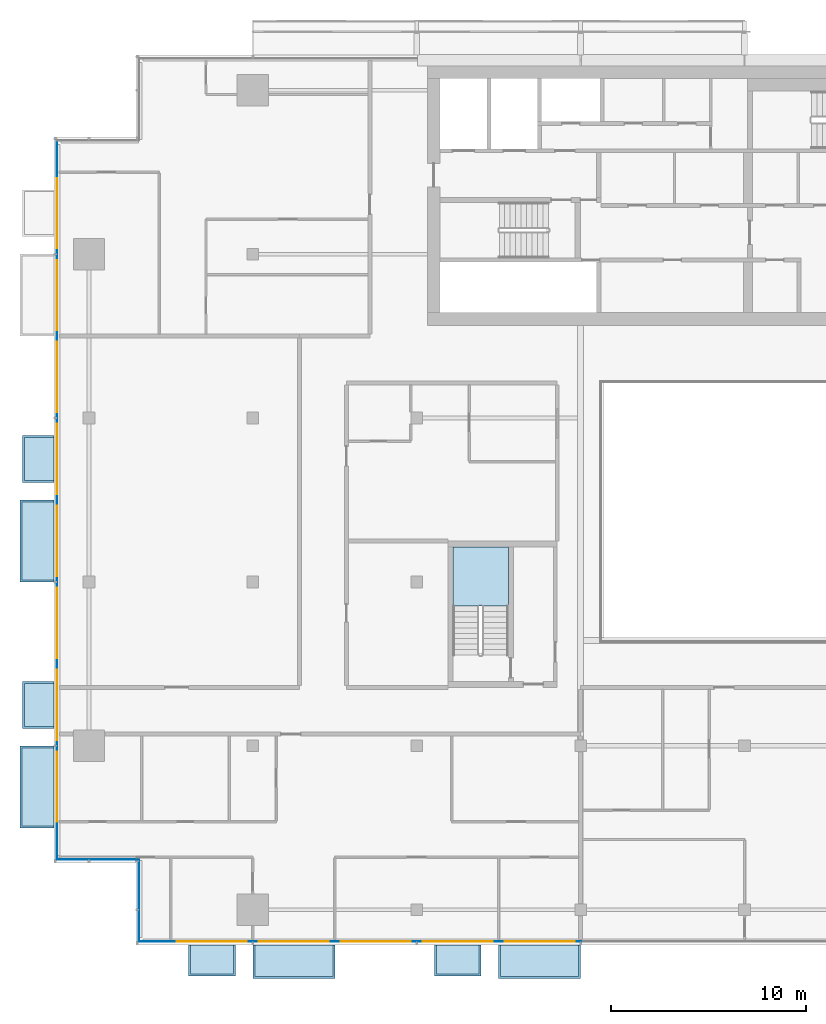
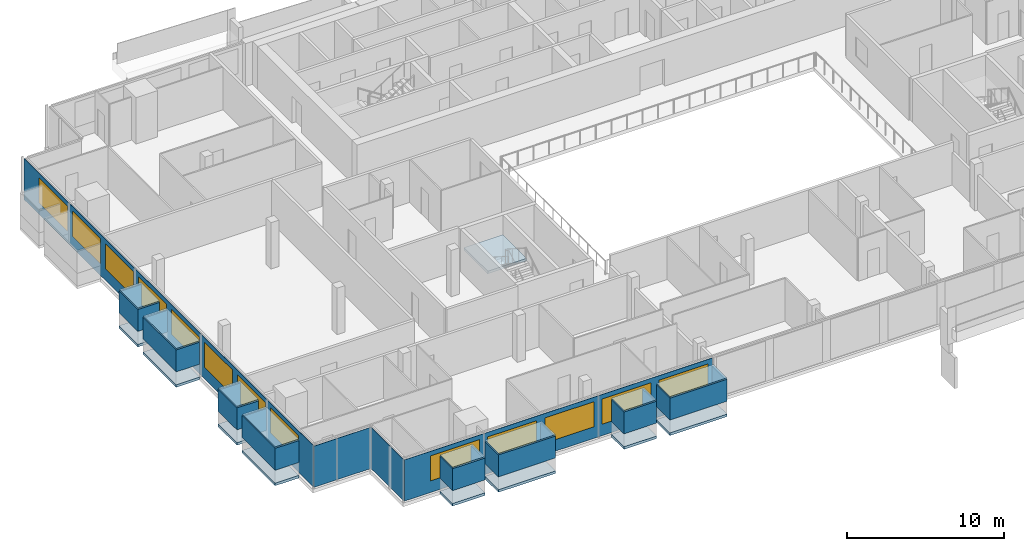
# One storey, part 14 of 27: 20 plates, 13 windows, 9 slabs, 13 openings, 5 elements without a shape of their own.
"""IFC4 building model written with IfcOpenShell, lengths in metres."""

from ifc_helpers import new_model, si_unit, direction, frame, frame_2d, origin, place, context, subcontext, project, spatial, polyline, rectangle, outline, extrude, material, layer, layer_set, type_object, element, fill, aggregate, save


model = new_model("IFC4")

# Units and contexts
model_context = context("Model", 3, precision=1e-05, world=origin(), true_north=direction((0.0, 1.0)))
body_context = subcontext(model_context, "Body", "Model", "MODEL_VIEW")
ifc_project = project(units=[si_unit("LENGTHUNIT", "METRE"), si_unit("AREAUNIT", "SQUARE_METRE"), si_unit("VOLUMEUNIT", "CUBIC_METRE"), si_unit("PLANEANGLEUNIT", "RADIAN"), si_unit("MASSUNIT", "GRAM", prefix="KILO")], contexts=[model_context])

# Site, building, storey
site_placement = place(None, origin())
site = spatial("IfcSite", under=ifc_project, at=site_placement, CompositionType="ELEMENT")
building_placement = place(site_placement, origin())
building = spatial("IfcBuilding", under=site, at=building_placement, Name="Saffron Gate Tower", CompositionType="ELEMENT")
storey_placement = place(building_placement, frame((0.0, 0.0, 212.699951171875)))
storey = spatial("IfcBuildingStorey", under=building, at=storey_placement, Name="L51", CompositionType="ELEMENT", Elevation=212.699951171875)

# Curtain wall, plate, openings, windows
ifc_material_1 = material(Name="Aluminium, bronze anodised", Category="aluminium")
curtain_wall_type_1 = type_object("IfcCurtainWallType", Name="CWS1 curtain wall front facade", PredefinedType="NOTDEFINED", material=ifc_material_1)
curtain_wall_1_placement = place(storey_placement, origin())
curtain_wall_1 = element("IfcCurtainWall", 1, at=curtain_wall_1_placement, inside=storey, type_object=curtain_wall_type_1, Name="CWS1 run 1", PredefinedType="NOTDEFINED")
ifc_material_2 = material(Name="Fritted bronze-tinted laminated glass", Category="glass")
ifc_layer_1 = layer(ifc_material_2, 0.028076171875)
ifc_layer_set_1 = layer_set([ifc_layer_1], Name="CWS1 fixed glass")
plate_type_1 = type_object("IfcPlateType", Name="CWS1 fixed glass", PredefinedType="CURTAIN_PANEL", material=ifc_layer_set_1)
plate_1_placement = place(storey_placement, frame((52.387939453125, 30.174072265625, 0.0), z_axis=(0.0, 0.0, 1.0), x_axis=(1.0, 0.0, 0.0)))
plate_1 = element("IfcPlate", 2, at=plate_1_placement, type_object=plate_type_1, Name="CWS1 glass panel", PredefinedType="CURTAIN_PANEL", context=body_context, shape_type="SweptSolid", body=[
    extrude(rectangle(XDim=22.64208984375, YDim=0.028076171875, at=frame_2d((11.321044921875, 0.0))), origin(), (0.0, 0.0, 1.0), 3.199951171875),
])
opening_1_placement = place(plate_1_placement, frame((1.912109375, 0.0, 0.89990234375)))
opening_1 = element("IfcOpeningElement", 3, at=opening_1_placement, cuts=plate_1, Name="Opening W1", PredefinedType="OPENING", context=body_context, shape_type="SweptSolid", body=[
    extrude(rectangle(XDim=3.60009765625, YDim=1.949951171875, at=frame_2d((1.800048828125, 0.97509765625))), frame((0.0, 0.02392578125, 0.0), z_axis=(0.0, -1.0, 0.0), x_axis=(1.0, 0.0, 0.0)), (0.0, 0.0, 1.0), 0.048095703125),
])
opening_2_placement = place(plate_1_placement, frame((6.112060546875, 0.0, 0.89990234375)))
opening_2 = element("IfcOpeningElement", 4, at=opening_2_placement, cuts=plate_1, Name="Opening W1", PredefinedType="OPENING", context=body_context, shape_type="SweptSolid", body=[
    extrude(rectangle(XDim=3.60009765625, YDim=1.949951171875, at=frame_2d((1.800048828125, 0.97509765625))), frame((0.0, 0.02392578125, 0.0), z_axis=(0.0, -1.0, 0.0), x_axis=(1.0, 0.0, 0.0)), (0.0, 0.0, 1.0), 0.048095703125),
])
opening_3_placement = place(plate_1_placement, frame((10.31201171875, 0.0, 0.89990234375)))
opening_3 = element("IfcOpeningElement", 5, at=opening_3_placement, cuts=plate_1, Name="Opening W1", PredefinedType="OPENING", context=body_context, shape_type="SweptSolid", body=[
    extrude(rectangle(XDim=3.60009765625, YDim=1.949951171875, at=frame_2d((1.800048828125, 0.97509765625))), frame((0.0, 0.02392578125, 0.0), z_axis=(0.0, -1.0, 0.0), x_axis=(1.0, 0.0, 0.0)), (0.0, 0.0, 1.0), 0.048095703125),
])
opening_4_placement = place(plate_1_placement, frame((14.511962890625, 0.0, 0.89990234375)))
opening_4 = element("IfcOpeningElement", 6, at=opening_4_placement, cuts=plate_1, Name="Opening W1", PredefinedType="OPENING", context=body_context, shape_type="SweptSolid", body=[
    extrude(rectangle(XDim=3.60009765625, YDim=1.949951171875, at=frame_2d((1.800048828125, 0.97509765625))), frame((0.0, 0.02392578125, 0.0), z_axis=(0.0, -1.0, 0.0), x_axis=(1.0, 0.0, 0.0)), (0.0, 0.0, 1.0), 0.048095703125),
])
opening_5_placement = place(plate_1_placement, frame((18.7119140625, 0.0, 0.89990234375)))
opening_5 = element("IfcOpeningElement", 7, at=opening_5_placement, cuts=plate_1, Name="Opening W1", PredefinedType="OPENING", context=body_context, shape_type="SweptSolid", body=[
    extrude(rectangle(XDim=3.60009765625, YDim=1.949951171875, at=frame_2d((1.800048828125, 0.97509765625))), frame((0.0, 0.02392578125, 0.0), z_axis=(0.0, -1.0, 0.0), x_axis=(1.0, 0.0, 0.0)), (0.0, 0.0, 1.0), 0.048095703125),
])
ifc_material_3 = material(Name="Fritted bronze-tinted laminated glass in bronze frame", Category="glass")
ifc_layer_2 = layer(ifc_material_3, 0.06005859375)
ifc_layer_set_2 = layer_set([ifc_layer_2], Name="W1 operable panel 3600x1950")
window_type = type_object("IfcWindowType", Name="W1 operable panel 3600x1950", PartitioningType="DOUBLE_PANEL_HORIZONTAL", PredefinedType="WINDOW", material=ifc_layer_set_2)
window_1_placement = place(opening_1_placement, origin())
window_1 = element("IfcWindow", 8, at=window_1_placement, type_object=window_type, Name="W1 operable panel", OverallHeight=1.949951171875, OverallWidth=3.60009765625, PartitioningType="SINGLE_PANEL", PredefinedType="WINDOW", context=body_context, shape_type="SweptSolid", body=[
    extrude(rectangle(XDim=3.60009765625, YDim=1.949951171875, at=frame_2d((1.800048828125, 0.97509765625))), frame((0.0, 0.013671875, 0.0), z_axis=(0.0, -1.0, 0.0), x_axis=(1.0, 0.0, 0.0)), (0.0, 0.0, 1.0), 0.027587890625),
])
fill(opening_1, window_1)
window_2_placement = place(opening_2_placement, origin())
window_2 = element("IfcWindow", 9, at=window_2_placement, type_object=window_type, Name="W1 operable panel", OverallHeight=1.949951171875, OverallWidth=3.60009765625, PartitioningType="SINGLE_PANEL", PredefinedType="WINDOW", context=body_context, shape_type="SweptSolid", body=[
    extrude(rectangle(XDim=3.60009765625, YDim=1.949951171875, at=frame_2d((1.800048828125, 0.97509765625))), frame((0.0, 0.013671875, 0.0), z_axis=(0.0, -1.0, 0.0), x_axis=(1.0, 0.0, 0.0)), (0.0, 0.0, 1.0), 0.027587890625),
])
fill(opening_2, window_2)
window_3_placement = place(opening_3_placement, origin())
window_3 = element("IfcWindow", 10, at=window_3_placement, type_object=window_type, Name="W1 operable panel", OverallHeight=1.949951171875, OverallWidth=3.60009765625, PartitioningType="SINGLE_PANEL", PredefinedType="WINDOW", context=body_context, shape_type="SweptSolid", body=[
    extrude(rectangle(XDim=3.60009765625, YDim=1.949951171875, at=frame_2d((1.800048828125, 0.97509765625))), frame((0.0, 0.013671875, 0.0), z_axis=(0.0, -1.0, 0.0), x_axis=(1.0, 0.0, 0.0)), (0.0, 0.0, 1.0), 0.027587890625),
])
fill(opening_3, window_3)
window_4_placement = place(opening_4_placement, origin())
window_4 = element("IfcWindow", 11, at=window_4_placement, type_object=window_type, Name="W1 operable panel", OverallHeight=1.949951171875, OverallWidth=3.60009765625, PartitioningType="SINGLE_PANEL", PredefinedType="WINDOW", context=body_context, shape_type="SweptSolid", body=[
    extrude(rectangle(XDim=3.60009765625, YDim=1.949951171875, at=frame_2d((1.800048828125, 0.97509765625))), frame((0.0, 0.013671875, 0.0), z_axis=(0.0, -1.0, 0.0), x_axis=(1.0, 0.0, 0.0)), (0.0, 0.0, 1.0), 0.027587890625),
])
fill(opening_4, window_4)
window_5_placement = place(opening_5_placement, origin())
window_5 = element("IfcWindow", 12, at=window_5_placement, type_object=window_type, Name="W1 operable panel", OverallHeight=1.949951171875, OverallWidth=3.60009765625, PartitioningType="SINGLE_PANEL", PredefinedType="WINDOW", context=body_context, shape_type="SweptSolid", body=[
    extrude(rectangle(XDim=3.60009765625, YDim=1.949951171875, at=frame_2d((1.800048828125, 0.97509765625))), frame((0.0, 0.013671875, 0.0), z_axis=(0.0, -1.0, 0.0), x_axis=(1.0, 0.0, 0.0)), (0.0, 0.0, 1.0), 0.027587890625),
])
fill(opening_5, window_5)
aggregate(curtain_wall_1, [plate_1, window_1, window_2, window_3, window_4, window_5])

curtain_wall_type_2 = type_object("IfcCurtainWallType", Name="CWS2 curtain wall side facades", PredefinedType="NOTDEFINED", material=ifc_material_1)
curtain_wall_2_placement = place(storey_placement, origin())
curtain_wall_2 = element("IfcCurtainWall", 13, at=curtain_wall_2_placement, inside=storey, type_object=curtain_wall_type_2, Name="CWS2 run 10", PredefinedType="NOTDEFINED")
ifc_layer_3 = layer(ifc_material_2, 0.028076171875)
ifc_layer_set_3 = layer_set([ifc_layer_3], Name="CWS2 fixed glass")
plate_type_2 = type_object("IfcPlateType", Name="CWS2 fixed glass", PredefinedType="CURTAIN_PANEL", material=ifc_layer_set_3)
plate_2_placement = place(storey_placement, frame((48.174072265625, 71.2119140625, 0.0), z_axis=(0.0, 0.0, 1.0), x_axis=(0.0, -1.0, 0.0)))
plate_2 = element("IfcPlate", 14, at=plate_2_placement, type_object=plate_type_2, Name="CWS2 glass panel", PredefinedType="CURTAIN_PANEL", context=body_context, shape_type="SweptSolid", body=[
    extrude(rectangle(XDim=36.823974609375, YDim=0.028076171875, at=frame_2d((18.412109375, 0.0))), origin(), (0.0, 0.0, 1.0), 3.199951171875),
])
opening_6_placement = place(plate_2_placement, frame((1.912109375, 0.0, 0.89990234375)))
opening_6 = element("IfcOpeningElement", 15, at=opening_6_placement, cuts=plate_2, Name="Opening W1", PredefinedType="OPENING", context=body_context, shape_type="SweptSolid", body=[
    extrude(rectangle(XDim=3.60009765625, YDim=1.949951171875, at=frame_2d((1.800048828125, 0.97509765625))), frame((0.0, 0.02392578125, 0.0), z_axis=(0.0, -1.0, 0.0), x_axis=(1.0, 0.0, 0.0)), (0.0, 0.0, 1.0), 0.048095703125),
])
opening_7_placement = place(plate_2_placement, frame((6.112060546875, 0.0, 0.89990234375)))
opening_7 = element("IfcOpeningElement", 16, at=opening_7_placement, cuts=plate_2, Name="Opening W1", PredefinedType="OPENING", context=body_context, shape_type="SweptSolid", body=[
    extrude(rectangle(XDim=3.60009765625, YDim=1.949951171875, at=frame_2d((1.800048828125, 0.97509765625))), frame((0.0, 0.02392578125, 0.0), z_axis=(0.0, -1.0, 0.0), x_axis=(1.0, 0.0, 0.0)), (0.0, 0.0, 1.0), 0.048095703125),
])
opening_8_placement = place(plate_2_placement, frame((10.31201171875, 0.0, 0.89990234375)))
opening_8 = element("IfcOpeningElement", 17, at=opening_8_placement, cuts=plate_2, Name="Opening W1", PredefinedType="OPENING", context=body_context, shape_type="SweptSolid", body=[
    extrude(rectangle(XDim=3.60009765625, YDim=1.949951171875, at=frame_2d((1.800048828125, 0.97509765625))), frame((0.0, 0.02392578125, 0.0), z_axis=(0.0, -1.0, 0.0), x_axis=(1.0, 0.0, 0.0)), (0.0, 0.0, 1.0), 0.048095703125),
])
opening_9_placement = place(plate_2_placement, frame((14.511962890625, 0.0, 0.89990234375)))
opening_9 = element("IfcOpeningElement", 18, at=opening_9_placement, cuts=plate_2, Name="Opening W1", PredefinedType="OPENING", context=body_context, shape_type="SweptSolid", body=[
    extrude(rectangle(XDim=3.60009765625, YDim=1.949951171875, at=frame_2d((1.800048828125, 0.97509765625))), frame((0.0, 0.02392578125, 0.0), z_axis=(0.0, -1.0, 0.0), x_axis=(1.0, 0.0, 0.0)), (0.0, 0.0, 1.0), 0.048095703125),
])
opening_10_placement = place(plate_2_placement, frame((18.7119140625, 0.0, 0.89990234375)))
opening_10 = element("IfcOpeningElement", 19, at=opening_10_placement, cuts=plate_2, Name="Opening W1", PredefinedType="OPENING", context=body_context, shape_type="SweptSolid", body=[
    extrude(rectangle(XDim=3.60009765625, YDim=1.949951171875, at=frame_2d((1.800048828125, 0.97509765625))), frame((0.0, 0.02392578125, 0.0), z_axis=(0.0, -1.0, 0.0), x_axis=(1.0, 0.0, 0.0)), (0.0, 0.0, 1.0), 0.048095703125),
])
opening_11_placement = place(plate_2_placement, frame((22.912109375, 0.0, 0.89990234375)))
opening_11 = element("IfcOpeningElement", 20, at=opening_11_placement, cuts=plate_2, Name="Opening W1", PredefinedType="OPENING", context=body_context, shape_type="SweptSolid", body=[
    extrude(rectangle(XDim=3.60009765625, YDim=1.949951171875, at=frame_2d((1.800048828125, 0.97509765625))), frame((0.0, 0.02392578125, 0.0), z_axis=(0.0, -1.0, 0.0), x_axis=(1.0, 0.0, 0.0)), (0.0, 0.0, 1.0), 0.048095703125),
])
opening_12_placement = place(plate_2_placement, frame((27.112060546875, 0.0, 0.89990234375)))
opening_12 = element("IfcOpeningElement", 21, at=opening_12_placement, cuts=plate_2, Name="Opening W1", PredefinedType="OPENING", context=body_context, shape_type="SweptSolid", body=[
    extrude(rectangle(XDim=3.60009765625, YDim=1.949951171875, at=frame_2d((1.800048828125, 0.97509765625))), frame((0.0, 0.02392578125, 0.0), z_axis=(0.0, -1.0, 0.0), x_axis=(1.0, 0.0, 0.0)), (0.0, 0.0, 1.0), 0.048095703125),
])
opening_13_placement = place(plate_2_placement, frame((31.31201171875, 0.0, 0.89990234375)))
opening_13 = element("IfcOpeningElement", 22, at=opening_13_placement, cuts=plate_2, Name="Opening W1", PredefinedType="OPENING", context=body_context, shape_type="SweptSolid", body=[
    extrude(rectangle(XDim=3.60009765625, YDim=1.949951171875, at=frame_2d((1.800048828125, 0.97509765625))), frame((0.0, 0.02392578125, 0.0), z_axis=(0.0, -1.0, 0.0), x_axis=(1.0, 0.0, 0.0)), (0.0, 0.0, 1.0), 0.048095703125),
])
window_6_placement = place(opening_6_placement, origin())
window_6 = element("IfcWindow", 23, at=window_6_placement, type_object=window_type, Name="W1 operable panel", OverallHeight=1.949951171875, OverallWidth=3.60009765625, PartitioningType="SINGLE_PANEL", PredefinedType="WINDOW", context=body_context, shape_type="SweptSolid", body=[
    extrude(rectangle(XDim=3.60009765625, YDim=1.949951171875, at=frame_2d((1.800048828125, 0.97509765625))), frame((0.0, 0.013671875, 0.0), z_axis=(0.0, -1.0, 0.0), x_axis=(1.0, 0.0, 0.0)), (0.0, 0.0, 1.0), 0.027587890625),
])
fill(opening_6, window_6)
window_7_placement = place(opening_7_placement, origin())
window_7 = element("IfcWindow", 24, at=window_7_placement, type_object=window_type, Name="W1 operable panel", OverallHeight=1.949951171875, OverallWidth=3.60009765625, PartitioningType="SINGLE_PANEL", PredefinedType="WINDOW", context=body_context, shape_type="SweptSolid", body=[
    extrude(rectangle(XDim=3.60009765625, YDim=1.949951171875, at=frame_2d((1.800048828125, 0.97509765625))), frame((0.0, 0.013671875, 0.0), z_axis=(0.0, -1.0, 0.0), x_axis=(1.0, 0.0, 0.0)), (0.0, 0.0, 1.0), 0.027587890625),
])
fill(opening_7, window_7)
window_8_placement = place(opening_8_placement, origin())
window_8 = element("IfcWindow", 25, at=window_8_placement, type_object=window_type, Name="W1 operable panel", OverallHeight=1.949951171875, OverallWidth=3.60009765625, PartitioningType="SINGLE_PANEL", PredefinedType="WINDOW", context=body_context, shape_type="SweptSolid", body=[
    extrude(rectangle(XDim=3.60009765625, YDim=1.949951171875, at=frame_2d((1.800048828125, 0.97509765625))), frame((0.0, 0.013671875, 0.0), z_axis=(0.0, -1.0, 0.0), x_axis=(1.0, 0.0, 0.0)), (0.0, 0.0, 1.0), 0.027587890625),
])
fill(opening_8, window_8)
window_9_placement = place(opening_9_placement, origin())
window_9 = element("IfcWindow", 26, at=window_9_placement, type_object=window_type, Name="W1 operable panel", OverallHeight=1.949951171875, OverallWidth=3.60009765625, PartitioningType="SINGLE_PANEL", PredefinedType="WINDOW", context=body_context, shape_type="SweptSolid", body=[
    extrude(rectangle(XDim=3.60009765625, YDim=1.949951171875, at=frame_2d((1.800048828125, 0.97509765625))), frame((0.0, 0.013671875, 0.0), z_axis=(0.0, -1.0, 0.0), x_axis=(1.0, 0.0, 0.0)), (0.0, 0.0, 1.0), 0.027587890625),
])
fill(opening_9, window_9)
window_10_placement = place(opening_10_placement, origin())
window_10 = element("IfcWindow", 27, at=window_10_placement, type_object=window_type, Name="W1 operable panel", OverallHeight=1.949951171875, OverallWidth=3.60009765625, PartitioningType="SINGLE_PANEL", PredefinedType="WINDOW", context=body_context, shape_type="SweptSolid", body=[
    extrude(rectangle(XDim=3.60009765625, YDim=1.949951171875, at=frame_2d((1.800048828125, 0.97509765625))), frame((0.0, 0.013671875, 0.0), z_axis=(0.0, -1.0, 0.0), x_axis=(1.0, 0.0, 0.0)), (0.0, 0.0, 1.0), 0.027587890625),
])
fill(opening_10, window_10)
window_11_placement = place(opening_11_placement, origin())
window_11 = element("IfcWindow", 28, at=window_11_placement, type_object=window_type, Name="W1 operable panel", OverallHeight=1.949951171875, OverallWidth=3.60009765625, PartitioningType="SINGLE_PANEL", PredefinedType="WINDOW", context=body_context, shape_type="SweptSolid", body=[
    extrude(rectangle(XDim=3.60009765625, YDim=1.949951171875, at=frame_2d((1.800048828125, 0.97509765625))), frame((0.0, 0.013671875, 0.0), z_axis=(0.0, -1.0, 0.0), x_axis=(1.0, 0.0, 0.0)), (0.0, 0.0, 1.0), 0.027587890625),
])
fill(opening_11, window_11)
window_12_placement = place(opening_12_placement, origin())
window_12 = element("IfcWindow", 29, at=window_12_placement, type_object=window_type, Name="W1 operable panel", OverallHeight=1.949951171875, OverallWidth=3.60009765625, PartitioningType="SINGLE_PANEL", PredefinedType="WINDOW", context=body_context, shape_type="SweptSolid", body=[
    extrude(rectangle(XDim=3.60009765625, YDim=1.949951171875, at=frame_2d((1.800048828125, 0.97509765625))), frame((0.0, 0.013671875, 0.0), z_axis=(0.0, -1.0, 0.0), x_axis=(1.0, 0.0, 0.0)), (0.0, 0.0, 1.0), 0.027587890625),
])
fill(opening_12, window_12)
window_13_placement = place(opening_13_placement, origin())
window_13 = element("IfcWindow", 30, at=window_13_placement, type_object=window_type, Name="W1 operable panel", OverallHeight=1.949951171875, OverallWidth=3.60009765625, PartitioningType="SINGLE_PANEL", PredefinedType="WINDOW", context=body_context, shape_type="SweptSolid", body=[
    extrude(rectangle(XDim=3.60009765625, YDim=1.949951171875, at=frame_2d((1.800048828125, 0.97509765625))), frame((0.0, 0.013671875, 0.0), z_axis=(0.0, -1.0, 0.0), x_axis=(1.0, 0.0, 0.0)), (0.0, 0.0, 1.0), 0.027587890625),
])
fill(opening_13, window_13)
aggregate(curtain_wall_2, [plate_2, window_6, window_7, window_8, window_9, window_10, window_11, window_12, window_13])

# Curtain wall, plate
curtain_wall_type_3 = type_object("IfcCurtainWallType", Name="CWS4 curtain wall corner returns", PredefinedType="NOTDEFINED", material=ifc_material_1)
curtain_wall_3_placement = place(storey_placement, origin())
curtain_wall_3 = element("IfcCurtainWall", 31, at=curtain_wall_3_placement, inside=storey, type_object=curtain_wall_type_3, Name="CWS4 run 11", PredefinedType="NOTDEFINED")
ifc_layer_4 = layer(ifc_material_2, 0.028076171875)
ifc_layer_set_4 = layer_set([ifc_layer_4], Name="CWS4 fixed glass")
plate_type_3 = type_object("IfcPlateType", Name="CWS4 fixed glass", PredefinedType="CURTAIN_PANEL", material=ifc_layer_set_4)
plate_3_placement = place(storey_placement, frame((48.18798828125, 34.3740234375, 0.0), z_axis=(0.0, 0.0, 1.0), x_axis=(1.0, 0.0, 0.0)))
plate_3 = element("IfcPlate", 32, at=plate_3_placement, type_object=plate_type_3, Name="CWS4 glass panel", PredefinedType="CURTAIN_PANEL", context=body_context, shape_type="SweptSolid", body=[
    extrude(rectangle(XDim=4.172119140625, YDim=0.028076171875, at=frame_2d((2.0859375, 0.0))), origin(), (0.0, 0.0, 1.0), 3.199951171875),
])
aggregate(curtain_wall_3, [plate_3])

curtain_wall_4_placement = place(storey_placement, origin())
curtain_wall_4 = element("IfcCurtainWall", 33, at=curtain_wall_4_placement, inside=storey, type_object=curtain_wall_type_3, Name="CWS4 run 12", PredefinedType="NOTDEFINED")
plate_4_placement = place(storey_placement, frame((52.3740234375, 34.360107421875, 0.0), z_axis=(0.0, 0.0, 1.0), x_axis=(0.0, -1.0, 0.0)))
plate_4 = element("IfcPlate", 34, at=plate_4_placement, type_object=plate_type_3, Name="CWS4 glass panel", PredefinedType="CURTAIN_PANEL", context=body_context, shape_type="SweptSolid", body=[
    extrude(rectangle(XDim=4.172119140625, YDim=0.028076171875, at=frame_2d((2.0859375, 0.0))), origin(), (0.0, 0.0, 1.0), 3.199951171875),
])
aggregate(curtain_wall_4, [plate_4])

# Stair, slab
ifc_material_4 = material(Name="Concrete C40", Category="concrete")
stair_type = type_object("IfcStairType", Name="ST7 Stair 1350 wide, 20 risers of 180", PredefinedType="HALF_TURN_STAIR", material=ifc_material_4)
stair_placement = place(storey_placement, origin())
stair = element("IfcStair", 35, at=stair_placement, inside=storey, type_object=stair_type, Name="L51 Exit stair D", PredefinedType="HALF_TURN_STAIR")
ifc_layer_5 = layer(ifc_material_4, 0.199951171875)
ifc_layer_set_5 = layer_set([ifc_layer_5], Name="SL1 Stair landing 200")
slab_type_1 = type_object("IfcSlabType", Name="SL1 Stair landing 200", PredefinedType="LANDING", material=ifc_layer_set_5)
slab_1_placement = place(storey_placement, frame((0.0, 0.0, 1.60009765625)))
slab_1 = element("IfcSlab", 36, at=slab_1_placement, type_object=slab_type_1, Name="ST-D landing 1", PredefinedType="LANDING", context=body_context, shape_type="SweptSolid", body=[
    extrude(outline(polyline([(71.300048828125, 47.3701171875), (71.300048828125, 50.39990234375), (68.449951171875, 50.39990234375), (68.449951171875, 47.3701171875), (71.300048828125, 47.3701171875)])), origin(), (0.0, 0.0, 1.0), 0.199951171875),
])
aggregate(stair, [slab_1])

# Slabs
ifc_material_5 = material(Name="Timber deck on bronze frame", Category="wood")
ifc_layer_6 = layer(ifc_material_5, 0.199951171875)
ifc_layer_set_6 = layer_set([ifc_layer_6], Name="WB1 box floor")
slab_type_2 = type_object("IfcSlabType", Name="WB1 box floor", PredefinedType="FLOOR", material=ifc_layer_set_6)
slab_2_placement = place(storey_placement, frame((0.0, 0.0, -0.199951171875)))
element("IfcSlab", 37, at=slab_2_placement, inside=storey, type_object=slab_type_2, Name="WINDOW BOX floor", PredefinedType="FLOOR", context=body_context, shape_type="SweptSolid", body=[
    extrude(outline(polyline([(54.89990234375, 30.0), (57.300048828125, 30.0), (57.300048828125, 28.39990234375), (54.89990234375, 28.39990234375), (54.89990234375, 30.0)])), origin(), (0.0, 0.0, 1.0), 0.199951171875),
])
slab_3_placement = place(storey_placement, frame((0.0, 0.0, -0.199951171875)))
element("IfcSlab", 38, at=slab_3_placement, inside=storey, type_object=slab_type_2, Name="WINDOW BOX floor", PredefinedType="FLOOR", context=body_context, shape_type="SweptSolid", body=[
    extrude(outline(polyline([(58.199951171875, 30.0), (62.39990234375, 30.0), (62.39990234375, 28.26708984375), (58.199951171875, 28.26708984375), (58.199951171875, 30.0)])), origin(), (0.0, 0.0, 1.0), 0.199951171875),
])
slab_4_placement = place(storey_placement, frame((0.0, 0.0, -0.199951171875)))
element("IfcSlab", 39, at=slab_4_placement, inside=storey, type_object=slab_type_2, Name="WINDOW BOX floor", PredefinedType="FLOOR", context=body_context, shape_type="SweptSolid", body=[
    extrude(outline(polyline([(67.5, 30.0), (69.89990234375, 30.0), (69.89990234375, 28.39990234375), (67.5, 28.39990234375), (67.5, 30.0)])), origin(), (0.0, 0.0, 1.0), 0.199951171875),
])
slab_5_placement = place(storey_placement, frame((0.0, 0.0, -0.199951171875)))
element("IfcSlab", 40, at=slab_5_placement, inside=storey, type_object=slab_type_2, Name="WINDOW BOX floor", PredefinedType="FLOOR", context=body_context, shape_type="SweptSolid", body=[
    extrude(outline(polyline([(70.800048828125, 30.0), (75.0, 30.0), (75.0, 28.26708984375), (70.800048828125, 28.26708984375), (70.800048828125, 30.0)])), origin(), (0.0, 0.0, 1.0), 0.199951171875),
])
slab_6_placement = place(storey_placement, frame((0.0, 0.0, -0.199951171875)))
element("IfcSlab", 41, at=slab_6_placement, inside=storey, type_object=slab_type_2, Name="WINDOW BOX floor", PredefinedType="FLOOR", context=body_context, shape_type="SweptSolid", body=[
    extrude(outline(polyline([(48.0, 56.10009765625), (48.0, 53.699951171875), (46.39990234375, 53.699951171875), (46.39990234375, 56.10009765625), (48.0, 56.10009765625)])), origin(), (0.0, 0.0, 1.0), 0.199951171875),
])
slab_7_placement = place(storey_placement, frame((0.0, 0.0, -0.199951171875)))
element("IfcSlab", 42, at=slab_7_placement, inside=storey, type_object=slab_type_2, Name="WINDOW BOX floor", PredefinedType="FLOOR", context=body_context, shape_type="SweptSolid", body=[
    extrude(outline(polyline([(48.0, 52.800048828125), (48.0, 48.60009765625), (46.26708984375, 48.60009765625), (46.26708984375, 52.800048828125), (48.0, 52.800048828125)])), origin(), (0.0, 0.0, 1.0), 0.199951171875),
])
slab_8_placement = place(storey_placement, frame((0.0, 0.0, -0.199951171875)))
element("IfcSlab", 43, at=slab_8_placement, inside=storey, type_object=slab_type_2, Name="WINDOW BOX floor", PredefinedType="FLOOR", context=body_context, shape_type="SweptSolid", body=[
    extrude(outline(polyline([(48.0, 43.5), (48.0, 41.10009765625), (46.39990234375, 41.10009765625), (46.39990234375, 43.5), (48.0, 43.5)])), origin(), (0.0, 0.0, 1.0), 0.199951171875),
])
slab_9_placement = place(storey_placement, frame((0.0, 0.0, -0.199951171875)))
element("IfcSlab", 44, at=slab_9_placement, inside=storey, type_object=slab_type_2, Name="WINDOW BOX floor", PredefinedType="FLOOR", context=body_context, shape_type="SweptSolid", body=[
    extrude(outline(polyline([(48.0, 40.199951171875), (48.0, 36.0), (46.26708984375, 36.0), (46.26708984375, 40.199951171875), (48.0, 40.199951171875)])), origin(), (0.0, 0.0, 1.0), 0.199951171875),
])

# Plates
ifc_layer_7 = layer(ifc_material_1, 0.1201171875)
ifc_layer_set_7 = layer_set([ifc_layer_7], Name="WB2 box roof")
plate_type_4 = type_object("IfcPlateType", Name="WB2 box roof", PredefinedType="SHEET", material=ifc_layer_set_7)
plate_5_placement = place(storey_placement, frame((0.0, 0.0, 2.699951171875)))
element("IfcPlate", 45, at=plate_5_placement, inside=storey, type_object=plate_type_4, Name="WINDOW BOX roof", PredefinedType="SHEET", context=body_context, shape_type="SweptSolid", body=[
    extrude(outline(polyline([(54.89990234375, 30.0), (57.300048828125, 30.0), (57.300048828125, 28.39990234375), (54.89990234375, 28.39990234375), (54.89990234375, 30.0)])), origin(), (0.0, 0.0, 1.0), 0.1201171875),
])
plate_6_placement = place(storey_placement, frame((0.0, 0.0, 2.699951171875)))
element("IfcPlate", 46, at=plate_6_placement, inside=storey, type_object=plate_type_4, Name="WINDOW BOX roof", PredefinedType="SHEET", context=body_context, shape_type="SweptSolid", body=[
    extrude(outline(polyline([(58.199951171875, 30.0), (62.39990234375, 30.0), (62.39990234375, 28.26708984375), (58.199951171875, 28.26708984375), (58.199951171875, 30.0)])), origin(), (0.0, 0.0, 1.0), 0.1201171875),
])
plate_7_placement = place(storey_placement, frame((0.0, 0.0, 2.699951171875)))
element("IfcPlate", 47, at=plate_7_placement, inside=storey, type_object=plate_type_4, Name="WINDOW BOX roof", PredefinedType="SHEET", context=body_context, shape_type="SweptSolid", body=[
    extrude(outline(polyline([(67.5, 30.0), (69.89990234375, 30.0), (69.89990234375, 28.39990234375), (67.5, 28.39990234375), (67.5, 30.0)])), origin(), (0.0, 0.0, 1.0), 0.1201171875),
])
plate_8_placement = place(storey_placement, frame((0.0, 0.0, 2.699951171875)))
element("IfcPlate", 48, at=plate_8_placement, inside=storey, type_object=plate_type_4, Name="WINDOW BOX roof", PredefinedType="SHEET", context=body_context, shape_type="SweptSolid", body=[
    extrude(outline(polyline([(70.800048828125, 30.0), (75.0, 30.0), (75.0, 28.26708984375), (70.800048828125, 28.26708984375), (70.800048828125, 30.0)])), origin(), (0.0, 0.0, 1.0), 0.1201171875),
])
plate_9_placement = place(storey_placement, frame((0.0, 0.0, 2.699951171875)))
element("IfcPlate", 49, at=plate_9_placement, inside=storey, type_object=plate_type_4, Name="WINDOW BOX roof", PredefinedType="SHEET", context=body_context, shape_type="SweptSolid", body=[
    extrude(outline(polyline([(48.0, 56.10009765625), (48.0, 53.699951171875), (46.39990234375, 53.699951171875), (46.39990234375, 56.10009765625), (48.0, 56.10009765625)])), origin(), (0.0, 0.0, 1.0), 0.1201171875),
])
plate_10_placement = place(storey_placement, frame((0.0, 0.0, 2.699951171875)))
element("IfcPlate", 50, at=plate_10_placement, inside=storey, type_object=plate_type_4, Name="WINDOW BOX roof", PredefinedType="SHEET", context=body_context, shape_type="SweptSolid", body=[
    extrude(outline(polyline([(48.0, 52.800048828125), (48.0, 48.60009765625), (46.26708984375, 48.60009765625), (46.26708984375, 52.800048828125), (48.0, 52.800048828125)])), origin(), (0.0, 0.0, 1.0), 0.1201171875),
])
plate_11_placement = place(storey_placement, frame((0.0, 0.0, 2.699951171875)))
element("IfcPlate", 51, at=plate_11_placement, inside=storey, type_object=plate_type_4, Name="WINDOW BOX roof", PredefinedType="SHEET", context=body_context, shape_type="SweptSolid", body=[
    extrude(outline(polyline([(48.0, 43.5), (48.0, 41.10009765625), (46.39990234375, 41.10009765625), (46.39990234375, 43.5), (48.0, 43.5)])), origin(), (0.0, 0.0, 1.0), 0.1201171875),
])
plate_12_placement = place(storey_placement, frame((0.0, 0.0, 2.699951171875)))
element("IfcPlate", 52, at=plate_12_placement, inside=storey, type_object=plate_type_4, Name="WINDOW BOX roof", PredefinedType="SHEET", context=body_context, shape_type="SweptSolid", body=[
    extrude(outline(polyline([(48.0, 40.199951171875), (48.0, 36.0), (46.26708984375, 36.0), (46.26708984375, 40.199951171875), (48.0, 40.199951171875)])), origin(), (0.0, 0.0, 1.0), 0.1201171875),
])
ifc_material_6 = material(Name="Clear low-iron laminated glass", Category="glass")
ifc_layer_8 = layer(ifc_material_6, 0.10009765625)
ifc_layer_set_8 = layer_set([ifc_layer_8], Name="WB6 box glazing")
plate_type_5 = type_object("IfcPlateType", Name="WB6 box glazing", PredefinedType="SHEET", material=ifc_layer_set_8)
plate_13_placement = place(storey_placement, frame((0.0, 0.0, 1.0)))
element("IfcPlate", 53, at=plate_13_placement, inside=storey, type_object=plate_type_5, Name="WINDOW BOX glazing", PredefinedType="SHEET", context=body_context, shape_type="SweptSolid", body=[
    extrude(outline(polyline([(54.89990234375, 30.0), (55.0, 30.0), (55.0, 28.5), (57.199951171875, 28.5), (57.199951171875, 30.0), (57.300048828125, 30.0), (57.300048828125, 28.39990234375), (54.89990234375, 28.39990234375), (54.89990234375, 30.0)])), origin(), (0.0, 0.0, 1.0), 1.699951171875),
])
plate_14_placement = place(storey_placement, frame((0.0, 0.0, 1.0)))
element("IfcPlate", 54, at=plate_14_placement, inside=storey, type_object=plate_type_5, Name="WINDOW BOX glazing", PredefinedType="SHEET", context=body_context, shape_type="SweptSolid", body=[
    extrude(outline(polyline([(58.199951171875, 30.0), (58.300048828125, 30.0), (58.300048828125, 28.366943359375), (62.300048828125, 28.366943359375), (62.300048828125, 30.0), (62.39990234375, 30.0), (62.39990234375, 28.26708984375), (58.199951171875, 28.26708984375), (58.199951171875, 30.0)])), origin(), (0.0, 0.0, 1.0), 1.699951171875),
])
plate_15_placement = place(storey_placement, frame((0.0, 0.0, 1.0)))
element("IfcPlate", 55, at=plate_15_placement, inside=storey, type_object=plate_type_5, Name="WINDOW BOX glazing", PredefinedType="SHEET", context=body_context, shape_type="SweptSolid", body=[
    extrude(outline(polyline([(67.5, 30.0), (67.60009765625, 30.0), (67.60009765625, 28.5), (69.800048828125, 28.5), (69.800048828125, 30.0), (69.89990234375, 30.0), (69.89990234375, 28.39990234375), (67.5, 28.39990234375), (67.5, 30.0)])), origin(), (0.0, 0.0, 1.0), 1.699951171875),
])
plate_16_placement = place(storey_placement, frame((0.0, 0.0, 1.0)))
element("IfcPlate", 56, at=plate_16_placement, inside=storey, type_object=plate_type_5, Name="WINDOW BOX glazing", PredefinedType="SHEET", context=body_context, shape_type="SweptSolid", body=[
    extrude(outline(polyline([(70.800048828125, 30.0), (70.89990234375, 30.0), (70.89990234375, 28.366943359375), (74.89990234375, 28.366943359375), (74.89990234375, 30.0), (75.0, 30.0), (75.0, 28.26708984375), (70.800048828125, 28.26708984375), (70.800048828125, 30.0)])), origin(), (0.0, 0.0, 1.0), 1.699951171875),
])
plate_17_placement = place(storey_placement, frame((0.0, 0.0, 1.0)))
element("IfcPlate", 57, at=plate_17_placement, inside=storey, type_object=plate_type_5, Name="WINDOW BOX glazing", PredefinedType="SHEET", context=body_context, shape_type="SweptSolid", body=[
    extrude(outline(polyline([(48.0, 56.10009765625), (48.0, 56.0), (46.5, 56.0), (46.5, 53.800048828125), (48.0, 53.800048828125), (48.0, 53.699951171875), (46.39990234375, 53.699951171875), (46.39990234375, 56.10009765625), (48.0, 56.10009765625)])), origin(), (0.0, 0.0, 1.0), 1.699951171875),
])
plate_18_placement = place(storey_placement, frame((0.0, 0.0, 1.0)))
element("IfcPlate", 58, at=plate_18_placement, inside=storey, type_object=plate_type_5, Name="WINDOW BOX glazing", PredefinedType="SHEET", context=body_context, shape_type="SweptSolid", body=[
    extrude(outline(polyline([(48.0, 52.800048828125), (48.0, 52.699951171875), (46.366943359375, 52.699951171875), (46.366943359375, 48.699951171875), (48.0, 48.699951171875), (48.0, 48.60009765625), (46.26708984375, 48.60009765625), (46.26708984375, 52.800048828125), (48.0, 52.800048828125)])), origin(), (0.0, 0.0, 1.0), 1.699951171875),
])
plate_19_placement = place(storey_placement, frame((0.0, 0.0, 1.0)))
element("IfcPlate", 59, at=plate_19_placement, inside=storey, type_object=plate_type_5, Name="WINDOW BOX glazing", PredefinedType="SHEET", context=body_context, shape_type="SweptSolid", body=[
    extrude(outline(polyline([(48.0, 43.5), (48.0, 43.39990234375), (46.5, 43.39990234375), (46.5, 41.199951171875), (48.0, 41.199951171875), (48.0, 41.10009765625), (46.39990234375, 41.10009765625), (46.39990234375, 43.5), (48.0, 43.5)])), origin(), (0.0, 0.0, 1.0), 1.699951171875),
])
plate_20_placement = place(storey_placement, frame((0.0, 0.0, 1.0)))
element("IfcPlate", 60, at=plate_20_placement, inside=storey, type_object=plate_type_5, Name="WINDOW BOX glazing", PredefinedType="SHEET", context=body_context, shape_type="SweptSolid", body=[
    extrude(outline(polyline([(48.0, 40.199951171875), (48.0, 40.10009765625), (46.366943359375, 40.10009765625), (46.366943359375, 36.10009765625), (48.0, 36.10009765625), (48.0, 36.0), (46.26708984375, 36.0), (46.26708984375, 40.199951171875), (48.0, 40.199951171875)])), origin(), (0.0, 0.0, 1.0), 1.699951171875),
])

save(model, "model.ifc")
